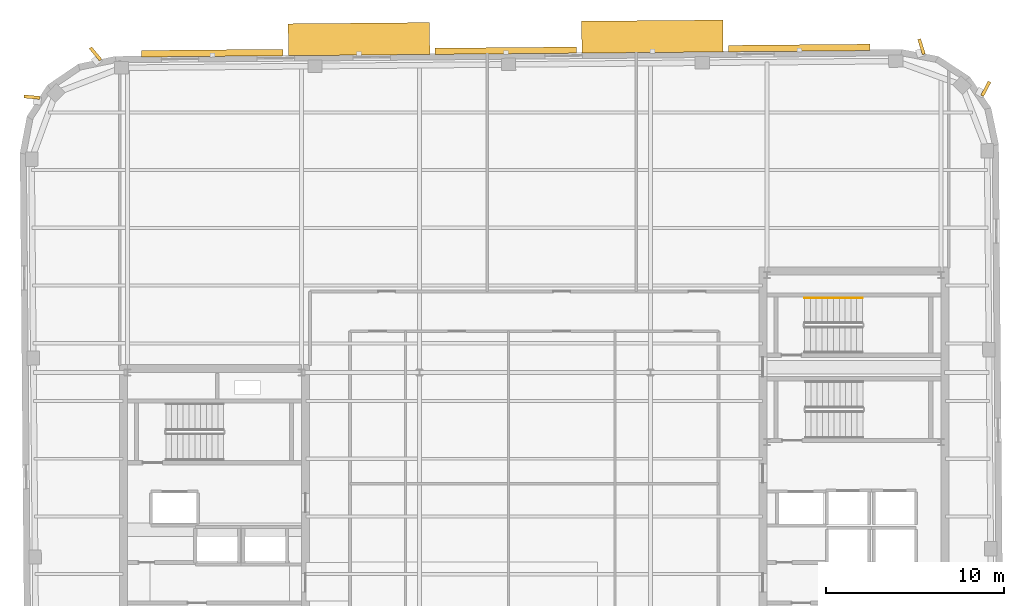
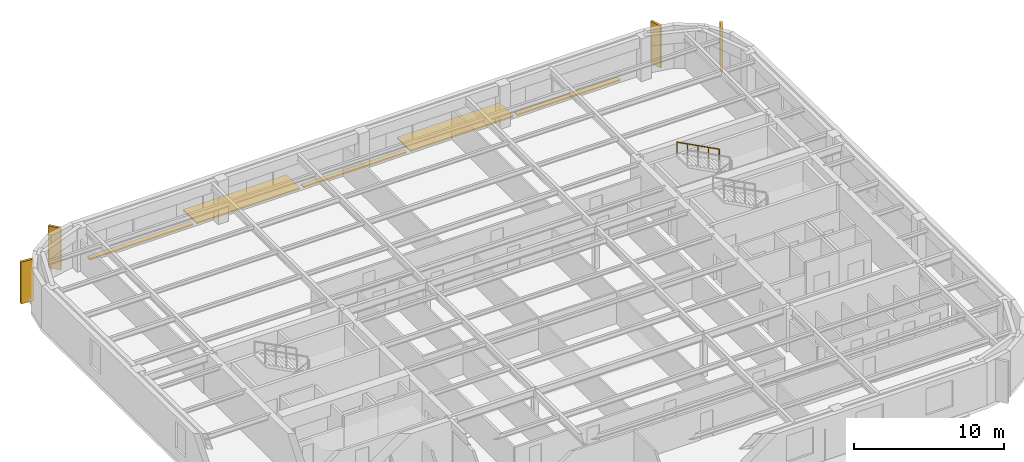
# One storey, part 15 of 15: 9 shading devices, 1 railing.
"""IFC4 building model written with IfcOpenShell, lengths in metres."""

from ifc_helpers import new_model, si_unit, direction, frame, origin, origin_2d, place, context, subcontext, project, spatial, rectangle, circle, extrude, material, type_object, element, save


model = new_model("IFC4")

# Units and contexts
model_context = context("Model", 3, precision=1e-05, world=origin(), true_north=direction((0.0, 1.0)))
body_context = subcontext(model_context, "Body", "Model", "MODEL_VIEW")
ifc_project = project(units=[si_unit("LENGTHUNIT", "METRE"), si_unit("AREAUNIT", "SQUARE_METRE"), si_unit("VOLUMEUNIT", "CUBIC_METRE"), si_unit("PLANEANGLEUNIT", "RADIAN"), si_unit("MASSUNIT", "GRAM", prefix="KILO")], contexts=[model_context])

# Site, building, storey
site_placement = place(None, origin())
site = spatial("IfcSite", under=ifc_project, at=site_placement, CompositionType="ELEMENT")
building_placement = place(site_placement, origin())
building = spatial("IfcBuilding", under=site, at=building_placement, Name="Kolvaren Arena Tower", CompositionType="ELEMENT")
storey_placement = place(building_placement, frame((0.0, 0.0, 304.89990234375)))
storey = spatial("IfcBuildingStorey", under=building, at=storey_placement, Name="L75", CompositionType="ELEMENT", Elevation=304.89990234375)

# Railing
ifc_material_1 = material(Name="Brushed stainless steel handrail", Category="steel")
railing_type = type_object("IfcRailingType", Name="HRAIL-900", PredefinedType="HANDRAIL", material=ifc_material_1)
railing_placement = place(storey_placement, frame((55.919921875, 38.050048828125, 2.045654296875)))
element("IfcRailing", 1, at=railing_placement, inside=storey, type_object=railing_type, Name="L75 ST-E2 stair handrail 2", PredefinedType="HANDRAIL", context=body_context, shape_type="SweptSolid", body=[
    extrude(circle(Radius=0.02392578125, at=origin_2d()), frame((0.0, 0.0, 0.8759765625), z_axis=(-0.885020909582, 0.0, 0.465551274945), x_axis=(0.0, -1.0, 0.0)), (0.0, 0.0, 1.0), 3.660888671875),
    extrude(circle(Radius=0.02099609375, at=origin_2d()), origin(), (0.0, 0.0, 1.0), 0.851806640625),
    extrude(circle(Radius=0.02099609375, at=origin_2d()), frame((-0.81005859375, 0.0, 0.426025390625)), (0.0, 0.0, 1.0), 0.851806640625),
    extrude(circle(Radius=0.02099609375, at=origin_2d()), frame((-1.6201171875, 0.0, 0.85205078125)), (0.0, 0.0, 1.0), 0.851806640625),
    extrude(circle(Radius=0.02099609375, at=origin_2d()), frame((-2.429931640625, 0.0, 1.2783203125)), (0.0, 0.0, 1.0), 0.851806640625),
    extrude(circle(Radius=0.02099609375, at=origin_2d()), frame((-3.239990234375, 0.0, 1.704345703125)), (0.0, 0.0, 1.0), 0.851806640625),
])

# Shading devices
ifc_material_2 = material(Name="Precast architectural concrete C50/60 rib fin", Category="concrete")
shading_device_type_1 = type_object("IfcShadingDeviceType", Name="SHAD-FIN-28", PredefinedType="USERDEFINED", material=ifc_material_2)
for number, where, z_axis, x_axis, name in (
    (2, (62.875, 49.825927734375, 0.020263671875), (0.0, 0.0, 1.0), (0.465619154103, 0.884985199499, 0.0), "Precast 28-Deg Corner Rib Fin (L75)"),
    (3, (59.25439453125, 52.19970703125, 0.020263671875), (0.0, 0.0, 1.0), (-0.296541574976, 0.955019944457, 0.0), "Precast 28-Deg Corner Rib Fin (L75)"),
    (4, (12.74951171875, 51.793701171875, 0.020263671875), (0.0, 0.0, 1.0), (-0.639409480102, 0.768866384202, 0.0), "Precast 28-Deg Corner Rib Fin (L75)"),
    (5, (9.1708984375, 49.357421875, 0.020263671875), (0.0, 0.0, 1.0), (-0.995807961336, 0.091468596471, 0.0), "Precast 28-Deg Corner Rib Fin (L75)"),
):
    element("IfcShadingDevice", number, at=place(storey_placement, frame(where, z_axis=z_axis, x_axis=x_axis)), inside=storey, type_object=shading_device_type_1, Name=name, ObjectType="FIN", PredefinedType="USERDEFINED", context=body_context, shape_type="SweptSolid", body=[
        extrude(rectangle(XDim=0.89990234375, YDim=0.179931640625, at=origin_2d()), origin(), (0.0, 0.0, 1.0), 3.39990234375),
    ])
ifc_material_3 = material(Name="Architectural precast GFRC and anodised aluminium sunshade", Category="concrete")
shading_device_type_2 = type_object("IfcShadingDeviceType", Name="SHAD-SINE-A", PredefinedType="USERDEFINED", material=ifc_material_3)
shading_device_1_placement = place(storey_placement, frame((19.332763671875, 51.836181640625, -0.139892578125), z_axis=(0.0, 0.0, 1.0), x_axis=(0.999961923064, 0.008726535498, 0.0)))
element("IfcShadingDevice", 6, at=shading_device_1_placement, inside=storey, type_object=shading_device_type_2, Name="Sinusoidal Slab-Edge Sunshade Louvre (L75)", ObjectType="LOUVRE", PredefinedType="USERDEFINED", context=body_context, shape_type="SweptSolid", body=[
    extrude(rectangle(XDim=7.9599609375, YDim=0.364990234375, at=origin_2d()), origin(), (0.0, 0.0, 1.0), 0.1201171875),
])
shading_device_2_placement = place(storey_placement, frame((35.852294921875, 51.972900390625, -0.139892578125), z_axis=(0.0, 0.0, 1.0), x_axis=(0.999961923064, 0.008726535498, 0.0)))
element("IfcShadingDevice", 7, at=shading_device_2_placement, inside=storey, type_object=shading_device_type_2, Name="Sinusoidal Slab-Edge Sunshade Louvre (L75)", ObjectType="LOUVRE", PredefinedType="USERDEFINED", context=body_context, shape_type="SweptSolid", body=[
    extrude(rectangle(XDim=7.9599609375, YDim=0.35009765625, at=origin_2d()), origin(), (0.0, 0.0, 1.0), 0.1201171875),
])
shading_device_3_placement = place(storey_placement, frame((52.37158203125, 52.12451171875, -0.139892578125), z_axis=(0.0, 0.0, 1.0), x_axis=(0.999961923064, 0.008726535498, 0.0)))
element("IfcShadingDevice", 8, at=shading_device_3_placement, inside=storey, type_object=shading_device_type_2, Name="Sinusoidal Slab-Edge Sunshade Louvre (L75)", ObjectType="LOUVRE", PredefinedType="USERDEFINED", context=body_context, shape_type="SweptSolid", body=[
    extrude(rectangle(XDim=7.9599609375, YDim=0.364990234375, at=origin_2d()), origin(), (0.0, 0.0, 1.0), 0.1201171875),
])
shading_device_type_3 = type_object("IfcShadingDeviceType", Name="SHAD-SINE-B", PredefinedType="JALOUSIE", material=ifc_material_3)
for number, where, z_axis, x_axis, name in (
    (9, (27.586181640625, 52.623779296875, -0.139892578125), (0.0, 0.0, 1.0), (0.999961923064, 0.008726535498, 0.0), "Sinusoidal Slab-Edge Sunshade Louvre (L75)"),
    (10, (44.10546875, 52.767822265625, -0.139892578125), (0.0, 0.0, 1.0), (0.999961923064, 0.008726535498, 0.0), "Sinusoidal Slab-Edge Sunshade Louvre (L75)"),
):
    element("IfcShadingDevice", number, at=place(storey_placement, frame(where, z_axis=z_axis, x_axis=x_axis)), inside=storey, type_object=shading_device_type_3, Name=name, PredefinedType="JALOUSIE", context=body_context, shape_type="SweptSolid", body=[
        extrude(rectangle(XDim=7.9599609375, YDim=1.796142578125, at=origin_2d()), origin(), (0.0, 0.0, 1.0), 0.1201171875),
    ])

save(model, "model.ifc")
